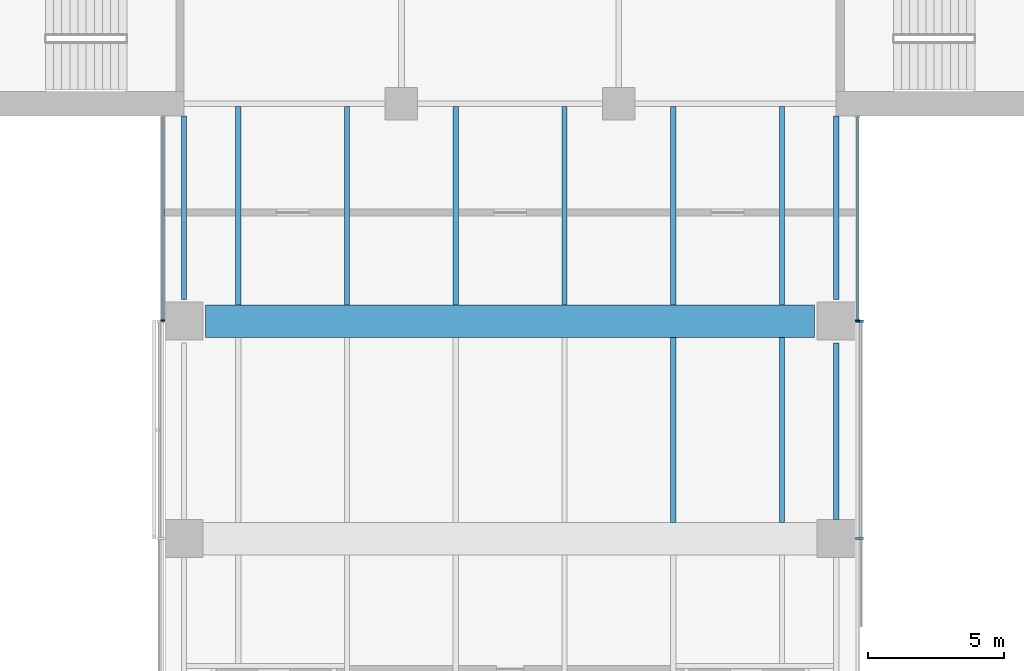
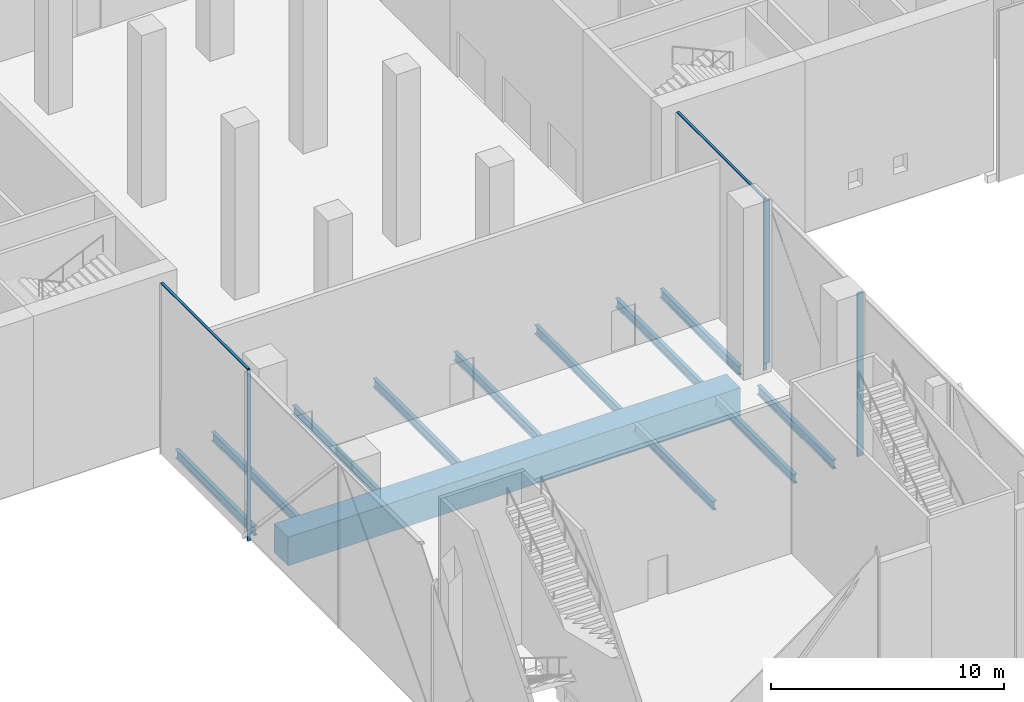
# One storey, part 3 of 26: 12 beams, 6 members, 3 elements without a shape of their own.
"""IFC4 building model written with IfcOpenShell, lengths in metres."""

import ifcopenshell
import ifcopenshell.guid

model = None  # the IFC model being written
_history = None  # IfcOwnerHistory: only IFC2X3 demands one
_inside = {}  # id of a spatial element -> (the spatial element, [elements in it])
_under = {}  # id of a project, library or spatial element -> (it, [spatial elements below it])
_declared = {}  # id of a project -> (the project, [libraries it declares])
_typed = {}  # id of a type object -> (the type object, [elements of that type])
_made_of = {}  # id of a material, layer set ... -> (it, [elements and type objects made of it])


def new_model(schema):
    """Start an empty IFC model of exactly this schema.

    Asked for "IFC4X3", IfcOpenShell would pick the latest addendum, in which some entities
    have other attributes; the version numbers below select the first issue.
    IFC2X3 requires an IfcOwnerHistory on every rooted entity: one is made here for all.
    """
    global model, _history
    if schema == "IFC4X3":
        model = ifcopenshell.file(schema_version=(4, 3, 0, 0))
    else:
        model = ifcopenshell.file(schema=schema)
    _inside.clear()
    _under.clear()
    _declared.clear()
    _typed.clear()
    _made_of.clear()
    _history = None
    if model.schema == "IFC2X3":
        org = make("IfcOrganization", Name="unknown")
        user = make(
            "IfcPersonAndOrganization",
            ThePerson=make("IfcPerson", FamilyName="unknown"),
            TheOrganization=org,
        )
        app = make(
            "IfcApplication",
            ApplicationDeveloper=org,
            Version="unknown",
            ApplicationFullName="unknown",
            ApplicationIdentifier="unknown",
        )
        _history = make(
            "IfcOwnerHistory",
            OwningUser=user,
            OwningApplication=app,
            ChangeAction="ADDED",
            CreationDate=0,
        )
    return model


def make(cls, **values):
    """One entity of the class cls with the attributes given. An attribute that is None is left unset."""
    return model.create_entity(
        cls, **{name: value for name, value in values.items() if value is not None}
    )


def rooted(cls, **values):
    """An entity with a GlobalId (a new one), such as an element, a storey or a relation."""
    return make(cls, GlobalId=ifcopenshell.guid.new(), OwnerHistory=_history, **values)


def si_unit(unit_type, name, prefix=None):
    """IfcSIUnit, for example si_unit("LENGTHUNIT", "METRE", prefix="MILLI")."""
    return make("IfcSIUnit", UnitType=unit_type, Prefix=prefix, Name=name)


def assignment(units):
    """IfcUnitAssignment: the units of a project."""
    return None if units is None else make("IfcUnitAssignment", Units=units)


def point(xyz):
    """IfcCartesianPoint."""
    return None if xyz is None else make("IfcCartesianPoint", Coordinates=xyz)


def direction(xyz):
    """IfcDirection."""
    return None if xyz is None else make("IfcDirection", DirectionRatios=xyz)


def frame(location, z_axis=None, x_axis=None):
    """IfcAxis2Placement3D, a coordinate frame: its origin and axes. An axis left out is left unset."""
    return make(
        "IfcAxis2Placement3D",
        Location=point(location),
        Axis=direction(z_axis),
        RefDirection=direction(x_axis),
    )


def frame_2d(location, x_axis=None):
    """IfcAxis2Placement2D, a coordinate frame in the plane: its origin and x axis."""
    return make(
        "IfcAxis2Placement2D", Location=point(location), RefDirection=direction(x_axis)
    )


def origin():
    """The frame at (0, 0, 0) with its axes left unset."""
    return frame((0.0, 0.0, 0.0))


def origin_2d():
    """The frame at (0, 0) in the plane with its x axis left unset."""
    return frame_2d((0.0, 0.0))


def place(relative_to, where):
    """IfcLocalPlacement: puts the frame where relative to a parent placement (None: the world)."""
    return make(
        "IfcLocalPlacement", PlacementRelTo=relative_to, RelativePlacement=where
    )


def context(
    kind, dimensions, precision=None, world=None, true_north=None, identifier=None
):
    """IfcGeometricRepresentationContext, for example the 3D "Model" context."""
    return make(
        "IfcGeometricRepresentationContext",
        ContextIdentifier=identifier,
        ContextType=kind,
        CoordinateSpaceDimension=dimensions,
        Precision=precision,
        WorldCoordinateSystem=world,
        TrueNorth=true_north,
    )


def subcontext(parent, identifier, kind, view, scale=None):
    """IfcGeometricRepresentationSubContext, for example "Body" below "Model"."""
    return make(
        "IfcGeometricRepresentationSubContext",
        ContextIdentifier=identifier,
        ContextType=kind,
        ParentContext=parent,
        TargetScale=scale,
        TargetView=view,
    )


def project(units=None, contexts=None):
    """IfcProject with its units and contexts."""
    return rooted(
        "IfcProject",
        Name="project",
        RepresentationContexts=contexts,
        UnitsInContext=assignment(units),
    )


def spatial(cls, under=None, at=None, **own):
    """A site, building, storey or space (cls), placed at a placement, below another one or the project."""
    s = rooted(cls, ObjectPlacement=at, **own)
    if under is not None:
        _under.setdefault(under.id(), (under, []))[1].append(s)
    return s


def profile(cls, at=None, kind="AREA", **sizes):
    """A parametric profile (cls). Its sizes go by their IFC names, for example OverallWidth=200.0."""
    return make(cls, ProfileType=kind, Position=at, **sizes)


def rectangle(**sizes):
    """IfcRectangleProfileDef."""
    return profile("IfcRectangleProfileDef", **sizes)


def i_section(**sizes):
    """IfcIShapeProfileDef."""
    return profile("IfcIShapeProfileDef", **sizes)


def extrude(swept, where, along, depth):
    """IfcExtrudedAreaSolid: the profile swept, set in the frame where, extruded along a direction by depth."""
    return make(
        "IfcExtrudedAreaSolid",
        SweptArea=swept,
        Position=where,
        ExtrudedDirection=direction(along),
        Depth=depth,
    )


def shape(context_of_items, identifier, shape_type, items):
    """IfcShapeRepresentation: the items that make up one representation, for example the "Body"."""
    return make(
        "IfcShapeRepresentation",
        ContextOfItems=context_of_items,
        RepresentationIdentifier=identifier,
        RepresentationType=shape_type,
        Items=items,
    )


def material(Name=None, Category=None):
    """IfcMaterial."""
    return make("IfcMaterial", Name=Name, Category=Category)


def material_profile(
    of_material, cross_section, Name=None, Category=None, Priority=None
):
    """IfcMaterialProfile: a cross section and its material."""
    return make(
        "IfcMaterialProfile",
        Name=Name,
        Material=of_material,
        Profile=cross_section,
        Priority=Priority,
        Category=Category,
    )


def profile_set(profiles, Name=None, composite=None):
    """IfcMaterialProfileSet."""
    return make(
        "IfcMaterialProfileSet",
        Name=Name,
        MaterialProfiles=profiles,
        CompositeProfile=composite,
    )


def made_of(thing, what):
    """Note that an element or type object is made of a material, layer set ...; save() writes the relation."""
    if what is not None:
        _made_of.setdefault(what.id(), (what, []))[1].append(thing)
    return thing


def type_object(cls, material=None, **own):
    """A type object (cls), such as IfcWallType, which elements share."""
    return made_of(rooted(cls, **own), material)


def element(
    cls,
    number,
    at=None,
    inside=None,
    cuts=None,
    type_object=None,
    material=None,
    context=None,
    identifier="Body",
    shape_type=None,
    held_by="IfcProductDefinitionShape",
    body=None,
    shapes=None,
    **own,
):
    """One element of the class cls, such as IfcWall. Its Tag is "e" and its number.

    at: its placement. inside: the storey or other place that contains it. cuts: it is an
    opening in that element (IfcRelVoidsElement). A single representation is given by context,
    identifier, shape_type and body (its items); several are given by shapes. held_by: the class
    of the entity that holds the representations. save() writes the other relations.
    """
    e = rooted(cls, Tag="e%d" % number, ObjectPlacement=at, **own)
    if body is not None:
        shapes = [shape(context, identifier, shape_type, body)]
    if shapes is not None:
        e.Representation = make(held_by, Representations=shapes)
    if inside is not None:
        _inside.setdefault(inside.id(), (inside, []))[1].append(e)
    if cuts is not None:
        rooted(
            "IfcRelVoidsElement", RelatingBuildingElement=cuts, RelatedOpeningElement=e
        )
    if type_object is not None:
        _typed.setdefault(type_object.id(), (type_object, []))[1].append(e)
    return made_of(e, material)


def aggregate(whole, parts):
    """IfcRelAggregates: a whole, such as a stair, and the parts it consists of."""
    return rooted("IfcRelAggregates", RelatingObject=whole, RelatedObjects=parts)


def save(model, path):
    """Write the relations noted so far, then the file.

    IfcRelAggregates (storeys below a building ...), IfcRelContainedInSpatialStructure (elements
    in a storey), IfcRelDefinesByType, IfcRelAssociatesMaterial and IfcRelDeclares: one each for
    every whole, place, type object, material and project.
    """
    for whole, parts in _under.values():
        aggregate(whole, parts)
    for where, things in _inside.values():
        rooted(
            "IfcRelContainedInSpatialStructure",
            RelatedElements=things,
            RelatingStructure=where,
        )
    for kind, things in _typed.values():
        rooted("IfcRelDefinesByType", RelatedObjects=things, RelatingType=kind)
    for what, things in _made_of.values():
        rooted("IfcRelAssociatesMaterial", RelatedObjects=things, RelatingMaterial=what)
    for by, libraries in _declared.values():
        rooted("IfcRelDeclares", RelatingContext=by, RelatedDefinitions=libraries)
    model.write(path)


model = new_model("IFC4")

# Units and contexts
model_context = context("Model", 3, precision=1e-05, world=origin(), true_north=direction((0.0, 1.0)))
body_context = subcontext(model_context, "Body", "Model", "MODEL_VIEW")
ifc_project = project(units=[si_unit("LENGTHUNIT", "METRE"), si_unit("AREAUNIT", "SQUARE_METRE"), si_unit("VOLUMEUNIT", "CUBIC_METRE"), si_unit("PLANEANGLEUNIT", "RADIAN"), si_unit("MASSUNIT", "GRAM", prefix="KILO")], contexts=[model_context])

# Site, building, storey
site_placement = place(None, origin())
site = spatial("IfcSite", under=ifc_project, at=site_placement, CompositionType="ELEMENT")
building_placement = place(site_placement, origin())
building = spatial("IfcBuilding", under=site, at=building_placement, Name="Crosswind Convention Tower", CompositionType="ELEMENT")
storey_placement = place(building_placement, frame((0.0, 0.0, 25.0)))
storey = spatial("IfcBuildingStorey", under=building, at=storey_placement, Name="L03", CompositionType="ELEMENT", Elevation=25.0)

# Beams
ifc_material_1 = material(Name="Steel S355", Category="steel")
ifc_material_profile_1 = material_profile(ifc_material_1, i_section(OverallWidth=0.19287109375, OverallDepth=0.467529296875, WebThickness=0.011474609375, FlangeThickness=0.01953125, FilletRadius=0.01025390625, at=origin_2d()), Name="UB 457x191x98")
ifc_profile_set_1 = profile_set([ifc_material_profile_1], Name="Steel S355")
beam_type_1 = type_object("IfcBeamType", Name="Edge beam UB 457x191x98", PredefinedType="SPANDREL", material=ifc_profile_set_1)
beam_1_placement = place(storey_placement, frame((113.0, 80.800048828125, -0.6337890625), z_axis=(0.0, 1.0, 0.0), x_axis=(-1.0, 0.0, 0.0)))
element("IfcBeam", 1, at=beam_1_placement, inside=storey, type_object=beam_type_1, Name="B20 L03 edge beam 8", PredefinedType="SPANDREL", context=body_context, shape_type="SweptSolid", body=[
    extrude(i_section(OverallWidth=0.19287109375, OverallDepth=0.467529296875, WebThickness=0.011474609375, FlangeThickness=0.01953125, FilletRadius=0.01025390625, at=origin_2d()), origin(), (0.0, 0.0, 1.0), 6.75),
])
beam_2_placement = place(storey_placement, frame((137.0, 72.699951171875, -0.6337890625), z_axis=(0.0, 1.0, 0.0), x_axis=(-1.0, 0.0, 0.0)))
element("IfcBeam", 2, at=beam_2_placement, inside=storey, type_object=beam_type_1, Name="B20 L03 edge beam 15", PredefinedType="SPANDREL", context=body_context, shape_type="SweptSolid", body=[
    extrude(i_section(OverallWidth=0.19287109375, OverallDepth=0.467529296875, WebThickness=0.011474609375, FlangeThickness=0.01953125, FilletRadius=0.01025390625, at=origin_2d()), origin(), (0.0, 0.0, 1.0), 6.5),
])
beam_3_placement = place(storey_placement, frame((137.0, 80.800048828125, -0.6337890625), z_axis=(0.0, 1.0, 0.0), x_axis=(-1.0, 0.0, 0.0)))
element("IfcBeam", 3, at=beam_3_placement, inside=storey, type_object=beam_type_1, Name="B20 L03 edge beam 16", PredefinedType="SPANDREL", context=body_context, shape_type="SweptSolid", body=[
    extrude(i_section(OverallWidth=0.19287109375, OverallDepth=0.467529296875, WebThickness=0.011474609375, FlangeThickness=0.01953125, FilletRadius=0.01025390625, at=origin_2d()), origin(), (0.0, 0.0, 1.0), 6.75),
])

# Curtain wall, member
ifc_material_2 = material(Name="Aluminium unitised curtain wall", Category="aluminium")
curtain_wall_type_1 = type_object("IfcCurtainWallType", Name="CORE END SLOT WALL 160", PredefinedType="USERDEFINED", material=ifc_material_2)
curtain_wall_1_placement = place(storey_placement, origin())
curtain_wall_1 = element("IfcCurtainWall", 4, at=curtain_wall_1_placement, inside=storey, type_object=curtain_wall_type_1, Name="CW6 L03 S-W.1-1 slot", ObjectType="UNITISED", PredefinedType="USERDEFINED")
ifc_material_3 = material(Name="Aluminium mullion", Category="aluminium")
ifc_material_profile_2 = material_profile(ifc_material_3, rectangle(XDim=0.159912109375, YDim=0.050048828125, at=origin_2d()), Name="AL 160X50")
ifc_profile_set_2 = profile_set([ifc_material_profile_2], Name="Aluminium mullion")
member_type_1 = type_object("IfcMemberType", Name="MULLION 50X160", PredefinedType="MULLION", material=ifc_profile_set_2)
member_1_placement = place(storey_placement, frame((112.219970703125, 80.02490234375, -0.39990234375), z_axis=(0.0, 0.0, 1.0), x_axis=(-1.0, 0.0, 0.0)))
member_1 = element("IfcMember", 5, at=member_1_placement, type_object=member_type_1, Name="CW6 mullion 2", PredefinedType="MULLION", context=body_context, shape_type="SweptSolid", body=[
    extrude(rectangle(XDim=0.159912109375, YDim=0.050048828125, at=origin_2d()), origin(), (0.0, 0.0, 1.0), 8.949951171875),
])

curtain_wall_2_placement = place(storey_placement, origin())
curtain_wall_2 = element("IfcCurtainWall", 6, at=curtain_wall_2_placement, inside=storey, type_object=curtain_wall_type_1, Name="CW6 L03 S-E.1-4 slot", ObjectType="UNITISED", PredefinedType="USERDEFINED")
member_2_placement = place(storey_placement, frame((137.780029296875, 80.02490234375, -0.39990234375), z_axis=(0.0, 0.0, 1.0), x_axis=(1.0, 0.0, 0.0)))
member_2 = element("IfcMember", 7, at=member_2_placement, type_object=member_type_1, Name="CW6 mullion 1", PredefinedType="MULLION", context=body_context, shape_type="SweptSolid", body=[
    extrude(rectangle(XDim=0.159912109375, YDim=0.050048828125, at=origin_2d()), origin(), (0.0, 0.0, 1.0), 8.949951171875),
])

# Curtain wall, members
curtain_wall_type_2 = type_object("IfcCurtainWallType", Name="PODIUM UNITISED WALL 300", PredefinedType="USERDEFINED", material=ifc_material_2)
curtain_wall_3_placement = place(storey_placement, origin())
curtain_wall_3 = element("IfcCurtainWall", 8, at=curtain_wall_3_placement, inside=storey, type_object=curtain_wall_type_2, Name="CW1 L03 S-E 1", ObjectType="UNITISED", PredefinedType="USERDEFINED")
ifc_material_profile_3 = material_profile(ifc_material_3, rectangle(XDim=0.300048828125, YDim=0.080078125, at=origin_2d()), Name="AL 300X80")
ifc_profile_set_3 = profile_set([ifc_material_profile_3], Name="Aluminium mullion")
member_type_2 = type_object("IfcMemberType", Name="MULLION 80X300", PredefinedType="MULLION", material=ifc_profile_set_3)
member_3_placement = place(storey_placement, frame((137.85009765625, 72.0, -0.044921875), z_axis=(0.0, 0.0, 1.0), x_axis=(1.0, 0.0, 0.0)))
member_3 = element("IfcMember", 9, at=member_3_placement, type_object=member_type_2, Name="CW1 mullion 3", PredefinedType="MULLION", context=body_context, shape_type="SweptSolid", body=[
    extrude(rectangle(XDim=0.300048828125, YDim=0.080078125, at=origin_2d()), origin(), (0.0, 0.0, 1.0), 8.56494140625),
])
member_4_placement = place(storey_placement, frame((137.85009765625, 80.0, -0.044921875), z_axis=(0.0, 0.0, 1.0), x_axis=(1.0, 0.0, 0.0)))
member_4 = element("IfcMember", 10, at=member_4_placement, type_object=member_type_2, Name="CW1 mullion 4", PredefinedType="MULLION", context=body_context, shape_type="SweptSolid", body=[
    extrude(rectangle(XDim=0.300048828125, YDim=0.080078125, at=origin_2d()), origin(), (0.0, 0.0, 1.0), 8.56494140625),
])
aggregate(curtain_wall_3, [member_3, member_4])

# Beams
ifc_material_4 = material(Name="Concrete C70/85", Category="concrete")
ifc_material_profile_4 = material_profile(ifc_material_4, rectangle(XDim=1.199951171875, YDim=1.5, at=origin_2d()), Name="RC 1200X1500")
ifc_profile_set_4 = profile_set([ifc_material_profile_4], Name="Concrete C70/85")
beam_type_2 = type_object("IfcBeamType", Name="Prestressed concrete girder RC 1200X1500", PredefinedType="BEAM", material=ifc_profile_set_4)
beam_4_placement = place(storey_placement, frame((113.800048828125, 80.0, -1.14990234375), z_axis=(1.0, 0.0, 0.0), x_axis=(0.0, 1.0, 0.0)))
element("IfcBeam", 11, at=beam_4_placement, inside=storey, type_object=beam_type_2, Name="B39 L03 prestressed concrete girder 3", PredefinedType="BEAM", context=body_context, shape_type="SweptSolid", body=[
    extrude(rectangle(XDim=1.199951171875, YDim=1.5, at=origin_2d()), origin(), (0.0, 0.0, 1.0), 22.39990234375),
])
ifc_material_profile_5 = material_profile(ifc_material_1, i_section(OverallWidth=0.19140625, OverallDepth=0.460205078125, WebThickness=0.010009765625, FlangeThickness=0.01611328125, FilletRadius=0.01025390625, at=origin_2d()), Name="UB 457x191x82")
ifc_profile_set_5 = profile_set([ifc_material_profile_5], Name="Steel S355")
beam_type_3 = type_object("IfcBeamType", Name="Secondary beam UB 457x191x82", PredefinedType="JOIST", material=ifc_profile_set_5)
for number, where, z_axis, x_axis, name in (
    (12, (115.0, 80.60009765625, -0.630126953125), (0.0, 1.0, 0.0), (-1.0, 0.0, 0.0), "B13 L03 secondary beam 16"),
    (13, (119.0, 80.60009765625, -0.630126953125), (0.0, 1.0, 0.0), (-1.0, 0.0, 0.0), "B13 L03 secondary beam 23"),
):
    element("IfcBeam", number, at=place(storey_placement, frame(where, z_axis=z_axis, x_axis=x_axis)), inside=storey, type_object=beam_type_3, Name=name, PredefinedType="JOIST", context=body_context, shape_type="SweptSolid", body=[
        extrude(i_section(OverallWidth=0.19140625, OverallDepth=0.460205078125, WebThickness=0.010009765625, FlangeThickness=0.01611328125, FilletRadius=0.01025390625, at=origin_2d()), origin(), (0.0, 0.0, 1.0), 7.29296875),
    ])
for number, where, z_axis, x_axis, name in (
    (14, (123.0, 80.60009765625, -0.630126953125), (0.0, 1.0, 0.0), (-1.0, 0.0, 0.0), "B13 L03 secondary beam 34"),
    (15, (127.0, 80.60009765625, -0.630126953125), (0.0, 1.0, 0.0), (-1.0, 0.0, 0.0), "B13 L03 secondary beam 42"),
):
    element("IfcBeam", number, at=place(storey_placement, frame(where, z_axis=z_axis, x_axis=x_axis)), inside=storey, type_object=beam_type_3, Name=name, PredefinedType="JOIST", context=body_context, shape_type="SweptSolid", body=[
        extrude(i_section(OverallWidth=0.19140625, OverallDepth=0.460205078125, WebThickness=0.010009765625, FlangeThickness=0.01611328125, FilletRadius=0.01025390625, at=origin_2d()), origin(), (0.0, 0.0, 1.0), 7.2939453125),
    ])
beam_5_placement = place(storey_placement, frame((131.0, 72.60009765625, -0.630126953125), z_axis=(0.0, 1.0, 0.0), x_axis=(-1.0, 0.0, 0.0)))
element("IfcBeam", 16, at=beam_5_placement, inside=storey, type_object=beam_type_3, Name="B13 L03 secondary beam 52", PredefinedType="JOIST", context=body_context, shape_type="SweptSolid", body=[
    extrude(i_section(OverallWidth=0.19140625, OverallDepth=0.460205078125, WebThickness=0.010009765625, FlangeThickness=0.01611328125, FilletRadius=0.01025390625, at=origin_2d()), origin(), (0.0, 0.0, 1.0), 6.7998046875),
])
beam_6_placement = place(storey_placement, frame((131.0, 80.60009765625, -0.630126953125), z_axis=(0.0, 1.0, 0.0), x_axis=(-1.0, 0.0, 0.0)))
element("IfcBeam", 17, at=beam_6_placement, inside=storey, type_object=beam_type_3, Name="B13 L03 secondary beam 53", PredefinedType="JOIST", context=body_context, shape_type="SweptSolid", body=[
    extrude(i_section(OverallWidth=0.19140625, OverallDepth=0.460205078125, WebThickness=0.010009765625, FlangeThickness=0.01611328125, FilletRadius=0.01025390625, at=origin_2d()), origin(), (0.0, 0.0, 1.0), 7.29296875),
])
beam_7_placement = place(storey_placement, frame((135.0, 72.60009765625, -0.630126953125), z_axis=(0.0, 1.0, 0.0), x_axis=(-1.0, 0.0, 0.0)))
element("IfcBeam", 18, at=beam_7_placement, inside=storey, type_object=beam_type_3, Name="B13 L03 secondary beam 59", PredefinedType="JOIST", context=body_context, shape_type="SweptSolid", body=[
    extrude(i_section(OverallWidth=0.19140625, OverallDepth=0.460205078125, WebThickness=0.010009765625, FlangeThickness=0.01611328125, FilletRadius=0.01025390625, at=origin_2d()), origin(), (0.0, 0.0, 1.0), 6.7998046875),
])
beam_8_placement = place(storey_placement, frame((135.0, 80.60009765625, -0.630126953125), z_axis=(0.0, 1.0, 0.0), x_axis=(-1.0, 0.0, 0.0)))
element("IfcBeam", 19, at=beam_8_placement, inside=storey, type_object=beam_type_3, Name="B13 L03 secondary beam 60", PredefinedType="JOIST", context=body_context, shape_type="SweptSolid", body=[
    extrude(i_section(OverallWidth=0.19140625, OverallDepth=0.460205078125, WebThickness=0.010009765625, FlangeThickness=0.01611328125, FilletRadius=0.01025390625, at=origin_2d()), origin(), (0.0, 0.0, 1.0), 7.29296875),
])

# Member
ifc_material_5 = material(Name="Aluminium transom", Category="aluminium")
ifc_material_profile_6 = material_profile(ifc_material_5, rectangle(XDim=0.1201171875, YDim=0.050048828125, at=origin_2d()), Name="AL 120X50")
ifc_profile_set_6 = profile_set([ifc_material_profile_6], Name="Aluminium transom")
member_type_3 = type_object("IfcMemberType", Name="TRANSOM 50X120", PredefinedType="USERDEFINED", material=ifc_profile_set_6)
member_5_placement = place(storey_placement, frame((112.219970703125, 87.5, 8.574951171875), z_axis=(0.0, -1.0, 0.0), x_axis=(1.0, 0.0, 0.0)))
member_5 = element("IfcMember", 20, at=member_5_placement, type_object=member_type_3, Name="CW6 transom", ObjectType="TRANSOM", PredefinedType="USERDEFINED", context=body_context, shape_type="SweptSolid", body=[
    extrude(rectangle(XDim=0.1201171875, YDim=0.050048828125, at=origin_2d()), origin(), (0.0, 0.0, 1.0), 7.449951171875),
])

aggregate(curtain_wall_1, [member_1, member_5])

member_6_placement = place(storey_placement, frame((137.780029296875, 80.050048828125, 8.574951171875), z_axis=(0.0, 1.0, 0.0), x_axis=(-1.0, 0.0, 0.0)))
member_6 = element("IfcMember", 21, at=member_6_placement, type_object=member_type_3, Name="CW6 transom", ObjectType="TRANSOM", PredefinedType="USERDEFINED", context=body_context, shape_type="SweptSolid", body=[
    extrude(rectangle(XDim=0.1201171875, YDim=0.050048828125, at=origin_2d()), origin(), (0.0, 0.0, 1.0), 7.449951171875),
])

aggregate(curtain_wall_2, [member_2, member_6])

save(model, "model.ifc")
